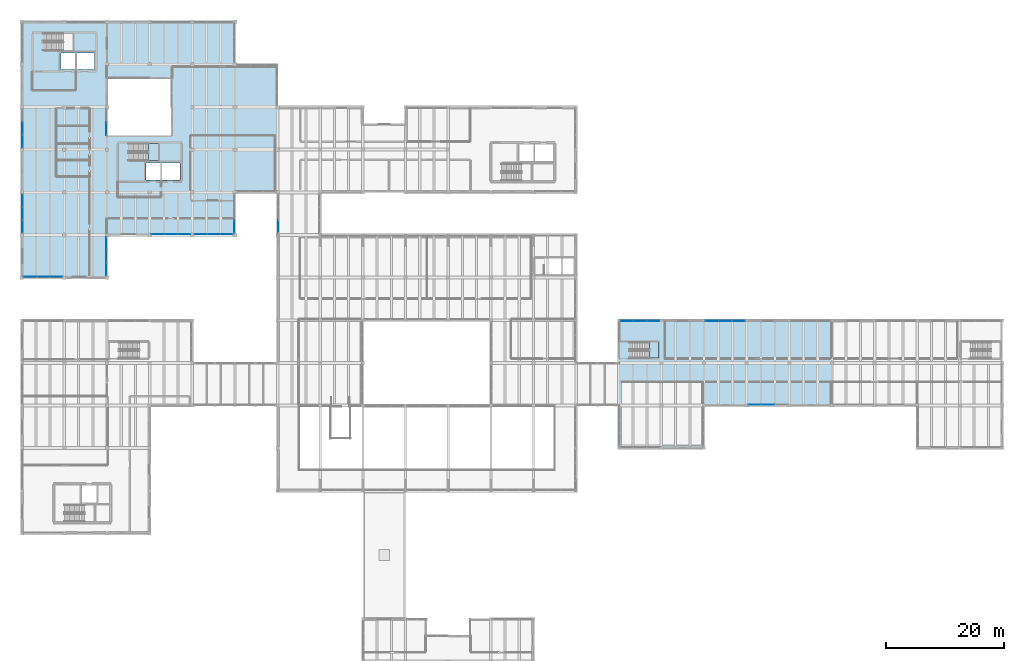
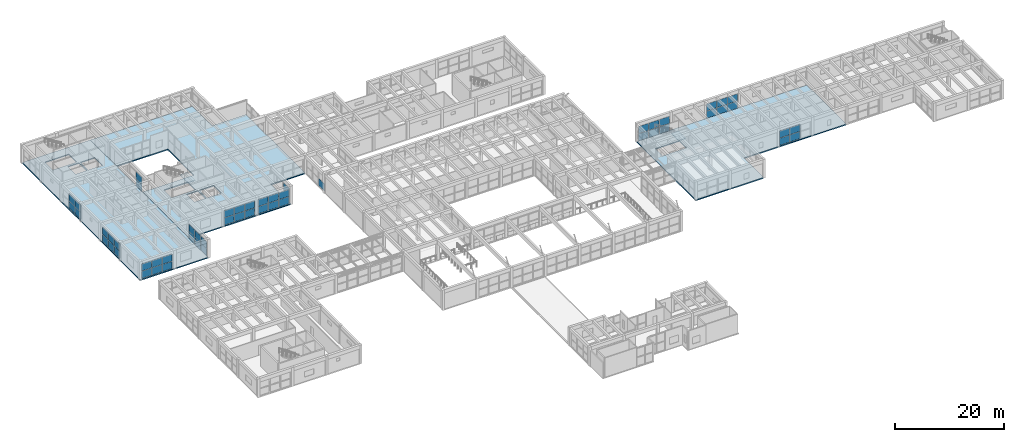
# One storey, part 121 of 153: 55 plates, 5 slabs, 14 elements without a shape of their own.
"""IFC4 building model written with IfcOpenShell, lengths in metres."""

from ifc_helpers import new_model, si_unit, direction, frame, origin, origin_2d, place, context, subcontext, project, spatial, polyline, rectangle, outline, extrude, material, layer, layer_set, type_object, element, aggregate, save


model = new_model("IFC4")

# Units and contexts
model_context = context("Model", 3, precision=1e-05, world=origin(), true_north=direction((0.0, 1.0)))
body_context = subcontext(model_context, "Body", "Model", "MODEL_VIEW")
ifc_project = project(units=[si_unit("LENGTHUNIT", "METRE"), si_unit("AREAUNIT", "SQUARE_METRE"), si_unit("VOLUMEUNIT", "CUBIC_METRE"), si_unit("PLANEANGLEUNIT", "RADIAN"), si_unit("MASSUNIT", "GRAM", prefix="KILO")], contexts=[model_context])

# Site, building, storey
site_placement = place(None, origin())
site = spatial("IfcSite", under=ifc_project, at=site_placement, CompositionType="ELEMENT")
building_placement = place(site_placement, origin())
building = spatial("IfcBuilding", under=site, at=building_placement, Name="Bramvelor Terrace Health Centre", CompositionType="ELEMENT")
storey_placement = place(building_placement, frame((0.0, 0.0, 4.800048828125)))
storey = spatial("IfcBuildingStorey", under=building, at=storey_placement, Name="L02", CompositionType="ELEMENT", Elevation=4.800048828125)

# Curtain wall, plate
ifc_material_1 = material(Name="Anodized aluminium and double low-E glass", Category="aluminium")
curtain_wall_type_1 = type_object("IfcCurtainWallType", Name="CW-SYS-12", PredefinedType="NOTDEFINED", material=ifc_material_1)
curtain_wall_1_placement = place(storey_placement, origin())
curtain_wall_1 = element("IfcCurtainWall", 1, at=curtain_wall_1_placement, inside=storey, type_object=curtain_wall_type_1, Name="L02 Unitized Curtain Wall 70", PredefinedType="NOTDEFINED")
ifc_material_2 = material(Name="Double low-E laminated glass", Category="glass")
ifc_layer_1 = layer(ifc_material_2, 0.028076171875)
ifc_layer_set_1 = layer_set([ifc_layer_1], Name="Double low-E laminated glass")
plate_type = type_object("IfcPlateType", Name="CW-PNL-GLZ28", PredefinedType="CURTAIN_PANEL", material=ifc_layer_set_1)
plate_1_placement = place(storey_placement, frame((43.330078125, 80.615478515625, 0.06494140625), z_axis=(0.0, 0.0, 1.0), x_axis=(0.0, 1.0, 0.0)))
plate_1 = element("IfcPlate", 2, at=plate_1_placement, type_object=plate_type, Name="CW-12 panel 1.1", PredefinedType="CURTAIN_PANEL", context=body_context, shape_type="SweptSolid", body=[
    extrude(rectangle(XDim=2.0908203125, YDim=0.028076171875, at=origin_2d()), origin(), (0.0, 0.0, 1.0), 1.58251953125),
])
aggregate(curtain_wall_1, [plate_1])

# Curtain wall, plates
curtain_wall_2_placement = place(storey_placement, origin())
curtain_wall_2 = element("IfcCurtainWall", 3, at=curtain_wall_2_placement, inside=storey, type_object=curtain_wall_type_1, Name="L02 Unitized Curtain Wall 72", PredefinedType="NOTDEFINED")
plate_2_placement = place(storey_placement, frame((35.8701171875, 80.615478515625, 0.06494140625), z_axis=(0.0, 0.0, 1.0), x_axis=(0.0, -1.0, 0.0)))
plate_2 = element("IfcPlate", 4, at=plate_2_placement, type_object=plate_type, Name="CW-12 panel 3.1", PredefinedType="CURTAIN_PANEL", context=body_context, shape_type="SweptSolid", body=[
    extrude(rectangle(XDim=2.0908203125, YDim=0.028076171875, at=origin_2d()), origin(), (0.0, 0.0, 1.0), 1.58251953125),
])
plate_3_placement = place(storey_placement, frame((35.8701171875, 80.615478515625, 1.71240234375), z_axis=(0.0, 0.0, 1.0), x_axis=(0.0, -1.0, 0.0)))
plate_3 = element("IfcPlate", 5, at=plate_3_placement, type_object=plate_type, Name="CW-12 panel 3.2", PredefinedType="CURTAIN_PANEL", context=body_context, shape_type="SweptSolid", body=[
    extrude(rectangle(XDim=2.0908203125, YDim=0.028076171875, at=origin_2d()), origin(), (0.0, 0.0, 1.0), 1.58251953125),
])
aggregate(curtain_wall_2, [plate_2, plate_3])

curtain_wall_3_placement = place(storey_placement, origin())
curtain_wall_3 = element("IfcCurtainWall", 6, at=curtain_wall_3_placement, inside=storey, type_object=curtain_wall_type_1, Name="L02 Unitized Curtain Wall 73", PredefinedType="NOTDEFINED")
plate_4_placement = place(storey_placement, frame((34.58447265625, 79.330078125, 0.06494140625), z_axis=(0.0, 0.0, 1.0), x_axis=(-1.0, 0.0, 0.0)))
plate_4 = element("IfcPlate", 7, at=plate_4_placement, type_object=plate_type, Name="CW-12 panel 1.1", PredefinedType="CURTAIN_PANEL", context=body_context, shape_type="SweptSolid", body=[
    extrude(rectangle(XDim=2.0908203125, YDim=0.028076171875, at=origin_2d()), origin(), (0.0, 0.0, 1.0), 1.58251953125),
])
plate_5_placement = place(storey_placement, frame((34.58447265625, 79.330078125, 1.71240234375), z_axis=(0.0, 0.0, 1.0), x_axis=(-1.0, 0.0, 0.0)))
plate_5 = element("IfcPlate", 8, at=plate_5_placement, type_object=plate_type, Name="CW-12 panel 1.2", PredefinedType="CURTAIN_PANEL", context=body_context, shape_type="SweptSolid", body=[
    extrude(rectangle(XDim=2.0908203125, YDim=0.028076171875, at=origin_2d()), origin(), (0.0, 0.0, 1.0), 1.58251953125),
])
plate_6_placement = place(storey_placement, frame((32.39990234375, 79.330078125, 0.06494140625), z_axis=(0.0, 0.0, 1.0), x_axis=(-1.0, 0.0, 0.0)))
plate_6 = element("IfcPlate", 9, at=plate_6_placement, type_object=plate_type, Name="CW-12 panel 2.1", PredefinedType="CURTAIN_PANEL", context=body_context, shape_type="SweptSolid", body=[
    extrude(rectangle(XDim=2.12841796875, YDim=0.028076171875, at=origin_2d()), origin(), (0.0, 0.0, 1.0), 1.58251953125),
])
plate_7_placement = place(storey_placement, frame((32.39990234375, 79.330078125, 1.71240234375), z_axis=(0.0, 0.0, 1.0), x_axis=(-1.0, 0.0, 0.0)))
plate_7 = element("IfcPlate", 10, at=plate_7_placement, type_object=plate_type, Name="CW-12 panel 2.2", PredefinedType="CURTAIN_PANEL", context=body_context, shape_type="SweptSolid", body=[
    extrude(rectangle(XDim=2.12841796875, YDim=0.028076171875, at=origin_2d()), origin(), (0.0, 0.0, 1.0), 1.58251953125),
])
plate_8_placement = place(storey_placement, frame((30.21533203125, 79.330078125, 0.06494140625), z_axis=(0.0, 0.0, 1.0), x_axis=(-1.0, 0.0, 0.0)))
plate_8 = element("IfcPlate", 11, at=plate_8_placement, type_object=plate_type, Name="CW-12 panel 3.1", PredefinedType="CURTAIN_PANEL", context=body_context, shape_type="SweptSolid", body=[
    extrude(rectangle(XDim=2.0908203125, YDim=0.028076171875, at=origin_2d()), origin(), (0.0, 0.0, 1.0), 1.58251953125),
])
plate_9_placement = place(storey_placement, frame((30.21533203125, 79.330078125, 1.71240234375), z_axis=(0.0, 0.0, 1.0), x_axis=(-1.0, 0.0, 0.0)))
plate_9 = element("IfcPlate", 12, at=plate_9_placement, type_object=plate_type, Name="CW-12 panel 3.2", PredefinedType="CURTAIN_PANEL", context=body_context, shape_type="SweptSolid", body=[
    extrude(rectangle(XDim=2.0908203125, YDim=0.028076171875, at=origin_2d()), origin(), (0.0, 0.0, 1.0), 1.58251953125),
])
aggregate(curtain_wall_3, [plate_4, plate_5, plate_6, plate_7, plate_8, plate_9])

curtain_wall_4_placement = place(storey_placement, origin())
curtain_wall_4 = element("IfcCurtainWall", 13, at=curtain_wall_4_placement, inside=storey, type_object=curtain_wall_type_1, Name="L02 Unitized Curtain Wall 74", PredefinedType="NOTDEFINED")
plate_10_placement = place(storey_placement, frame((27.384521484375, 79.330078125, 0.06494140625), z_axis=(0.0, 0.0, 1.0), x_axis=(-1.0, 0.0, 0.0)))
plate_10 = element("IfcPlate", 14, at=plate_10_placement, type_object=plate_type, Name="CW-12 panel 1.1", PredefinedType="CURTAIN_PANEL", context=body_context, shape_type="SweptSolid", body=[
    extrude(rectangle(XDim=2.0908203125, YDim=0.028076171875, at=origin_2d()), origin(), (0.0, 0.0, 1.0), 1.58251953125),
])
plate_11_placement = place(storey_placement, frame((27.384521484375, 79.330078125, 1.71240234375), z_axis=(0.0, 0.0, 1.0), x_axis=(-1.0, 0.0, 0.0)))
plate_11 = element("IfcPlate", 15, at=plate_11_placement, type_object=plate_type, Name="CW-12 panel 1.2", PredefinedType="CURTAIN_PANEL", context=body_context, shape_type="SweptSolid", body=[
    extrude(rectangle(XDim=2.0908203125, YDim=0.028076171875, at=origin_2d()), origin(), (0.0, 0.0, 1.0), 1.58251953125),
])
plate_12_placement = place(storey_placement, frame((25.199951171875, 79.330078125, 0.06494140625), z_axis=(0.0, 0.0, 1.0), x_axis=(-1.0, 0.0, 0.0)))
plate_12 = element("IfcPlate", 16, at=plate_12_placement, type_object=plate_type, Name="CW-12 panel 2.1", PredefinedType="CURTAIN_PANEL", context=body_context, shape_type="SweptSolid", body=[
    extrude(rectangle(XDim=2.12841796875, YDim=0.028076171875, at=origin_2d()), origin(), (0.0, 0.0, 1.0), 1.58251953125),
])
plate_13_placement = place(storey_placement, frame((25.199951171875, 79.330078125, 1.71240234375), z_axis=(0.0, 0.0, 1.0), x_axis=(-1.0, 0.0, 0.0)))
plate_13 = element("IfcPlate", 17, at=plate_13_placement, type_object=plate_type, Name="CW-12 panel 2.2", PredefinedType="CURTAIN_PANEL", context=body_context, shape_type="SweptSolid", body=[
    extrude(rectangle(XDim=2.12841796875, YDim=0.028076171875, at=origin_2d()), origin(), (0.0, 0.0, 1.0), 1.58251953125),
])
plate_14_placement = place(storey_placement, frame((23.015380859375, 79.330078125, 0.06494140625), z_axis=(0.0, 0.0, 1.0), x_axis=(-1.0, 0.0, 0.0)))
plate_14 = element("IfcPlate", 18, at=plate_14_placement, type_object=plate_type, Name="CW-12 panel 3.1", PredefinedType="CURTAIN_PANEL", context=body_context, shape_type="SweptSolid", body=[
    extrude(rectangle(XDim=2.0908203125, YDim=0.028076171875, at=origin_2d()), origin(), (0.0, 0.0, 1.0), 1.58251953125),
])
plate_15_placement = place(storey_placement, frame((23.015380859375, 79.330078125, 1.71240234375), z_axis=(0.0, 0.0, 1.0), x_axis=(-1.0, 0.0, 0.0)))
plate_15 = element("IfcPlate", 19, at=plate_15_placement, type_object=plate_type, Name="CW-12 panel 3.2", PredefinedType="CURTAIN_PANEL", context=body_context, shape_type="SweptSolid", body=[
    extrude(rectangle(XDim=2.0908203125, YDim=0.028076171875, at=origin_2d()), origin(), (0.0, 0.0, 1.0), 1.58251953125),
])
aggregate(curtain_wall_4, [plate_10, plate_11, plate_12, plate_13, plate_14, plate_15])

curtain_wall_5_placement = place(storey_placement, origin())
curtain_wall_5 = element("IfcCurtainWall", 20, at=curtain_wall_5_placement, inside=storey, type_object=curtain_wall_type_1, Name="L02 Unitized Curtain Wall 75", PredefinedType="NOTDEFINED")
plate_16_placement = place(storey_placement, frame((14.27001953125, 77.78466796875, 0.06494140625), z_axis=(0.0, 0.0, 1.0), x_axis=(0.0, -1.0, 0.0)))
plate_16 = element("IfcPlate", 21, at=plate_16_placement, type_object=plate_type, Name="CW-12 panel 1.1", PredefinedType="CURTAIN_PANEL", context=body_context, shape_type="SweptSolid", body=[
    extrude(rectangle(XDim=2.0908203125, YDim=0.028076171875, at=origin_2d()), origin(), (0.0, 0.0, 1.0), 1.58251953125),
])
plate_17_placement = place(storey_placement, frame((14.27001953125, 77.78466796875, 1.71240234375), z_axis=(0.0, 0.0, 1.0), x_axis=(0.0, -1.0, 0.0)))
plate_17 = element("IfcPlate", 22, at=plate_17_placement, type_object=plate_type, Name="CW-12 panel 1.2", PredefinedType="CURTAIN_PANEL", context=body_context, shape_type="SweptSolid", body=[
    extrude(rectangle(XDim=2.0908203125, YDim=0.028076171875, at=origin_2d()), origin(), (0.0, 0.0, 1.0), 1.58251953125),
])
plate_18_placement = place(storey_placement, frame((14.27001953125, 75.60009765625, 0.06494140625), z_axis=(0.0, 0.0, 1.0), x_axis=(0.0, -1.0, 0.0)))
plate_18 = element("IfcPlate", 23, at=plate_18_placement, type_object=plate_type, Name="CW-12 panel 2.1", PredefinedType="CURTAIN_PANEL", context=body_context, shape_type="SweptSolid", body=[
    extrude(rectangle(XDim=2.12841796875, YDim=0.028076171875, at=origin_2d()), origin(), (0.0, 0.0, 1.0), 1.58251953125),
])
plate_19_placement = place(storey_placement, frame((14.27001953125, 75.60009765625, 1.71240234375), z_axis=(0.0, 0.0, 1.0), x_axis=(0.0, -1.0, 0.0)))
plate_19 = element("IfcPlate", 24, at=plate_19_placement, type_object=plate_type, Name="CW-12 panel 2.2", PredefinedType="CURTAIN_PANEL", context=body_context, shape_type="SweptSolid", body=[
    extrude(rectangle(XDim=2.12841796875, YDim=0.028076171875, at=origin_2d()), origin(), (0.0, 0.0, 1.0), 1.58251953125),
])
plate_20_placement = place(storey_placement, frame((14.27001953125, 73.41552734375, 0.06494140625), z_axis=(0.0, 0.0, 1.0), x_axis=(0.0, -1.0, 0.0)))
plate_20 = element("IfcPlate", 25, at=plate_20_placement, type_object=plate_type, Name="CW-12 panel 3.1", PredefinedType="CURTAIN_PANEL", context=body_context, shape_type="SweptSolid", body=[
    extrude(rectangle(XDim=2.0908203125, YDim=0.028076171875, at=origin_2d()), origin(), (0.0, 0.0, 1.0), 1.58251953125),
])
plate_21_placement = place(storey_placement, frame((14.27001953125, 73.41552734375, 1.71240234375), z_axis=(0.0, 0.0, 1.0), x_axis=(0.0, -1.0, 0.0)))
plate_21 = element("IfcPlate", 26, at=plate_21_placement, type_object=plate_type, Name="CW-12 panel 3.2", PredefinedType="CURTAIN_PANEL", context=body_context, shape_type="SweptSolid", body=[
    extrude(rectangle(XDim=2.0908203125, YDim=0.028076171875, at=origin_2d()), origin(), (0.0, 0.0, 1.0), 1.58251953125),
])
aggregate(curtain_wall_5, [plate_16, plate_17, plate_18, plate_19, plate_20, plate_21])

curtain_wall_6_placement = place(storey_placement, origin())
curtain_wall_6 = element("IfcCurtainWall", 27, at=curtain_wall_6_placement, inside=storey, type_object=curtain_wall_type_1, Name="L02 Unitized Curtain Wall 76", PredefinedType="NOTDEFINED")
plate_22_placement = place(storey_placement, frame((5.78466796875, 72.1298828125, 0.06494140625), z_axis=(0.0, 0.0, 1.0), x_axis=(-1.0, 0.0, 0.0)))
plate_22 = element("IfcPlate", 28, at=plate_22_placement, type_object=plate_type, Name="CW-12 panel 1.1", PredefinedType="CURTAIN_PANEL", context=body_context, shape_type="SweptSolid", body=[
    extrude(rectangle(XDim=2.0908203125, YDim=0.028076171875, at=origin_2d()), origin(), (0.0, 0.0, 1.0), 1.592529296875),
])
plate_23_placement = place(storey_placement, frame((5.78466796875, 72.1298828125, 1.72265625), z_axis=(0.0, 0.0, 1.0), x_axis=(-1.0, 0.0, 0.0)))
plate_23 = element("IfcPlate", 29, at=plate_23_placement, type_object=plate_type, Name="CW-12 panel 1.2", PredefinedType="CURTAIN_PANEL", context=body_context, shape_type="SweptSolid", body=[
    extrude(rectangle(XDim=2.0908203125, YDim=0.028076171875, at=origin_2d()), origin(), (0.0, 0.0, 1.0), 1.592529296875),
])
plate_24_placement = place(storey_placement, frame((3.60009765625, 72.1298828125, 0.06494140625), z_axis=(0.0, 0.0, 1.0), x_axis=(-1.0, 0.0, 0.0)))
plate_24 = element("IfcPlate", 30, at=plate_24_placement, type_object=plate_type, Name="CW-12 panel 2.1", PredefinedType="CURTAIN_PANEL", context=body_context, shape_type="SweptSolid", body=[
    extrude(rectangle(XDim=2.12841796875, YDim=0.028076171875, at=origin_2d()), origin(), (0.0, 0.0, 1.0), 1.592529296875),
])
plate_25_placement = place(storey_placement, frame((3.60009765625, 72.1298828125, 1.72265625), z_axis=(0.0, 0.0, 1.0), x_axis=(-1.0, 0.0, 0.0)))
plate_25 = element("IfcPlate", 31, at=plate_25_placement, type_object=plate_type, Name="CW-12 panel 2.2", PredefinedType="CURTAIN_PANEL", context=body_context, shape_type="SweptSolid", body=[
    extrude(rectangle(XDim=2.12841796875, YDim=0.028076171875, at=origin_2d()), origin(), (0.0, 0.0, 1.0), 1.592529296875),
])
plate_26_placement = place(storey_placement, frame((1.41552734375, 72.1298828125, 0.06494140625), z_axis=(0.0, 0.0, 1.0), x_axis=(-1.0, 0.0, 0.0)))
plate_26 = element("IfcPlate", 32, at=plate_26_placement, type_object=plate_type, Name="CW-12 panel 3.1", PredefinedType="CURTAIN_PANEL", context=body_context, shape_type="SweptSolid", body=[
    extrude(rectangle(XDim=2.0908203125, YDim=0.028076171875, at=origin_2d()), origin(), (0.0, 0.0, 1.0), 1.592529296875),
])
plate_27_placement = place(storey_placement, frame((1.41552734375, 72.1298828125, 1.72265625), z_axis=(0.0, 0.0, 1.0), x_axis=(-1.0, 0.0, 0.0)))
plate_27 = element("IfcPlate", 33, at=plate_27_placement, type_object=plate_type, Name="CW-12 panel 3.2", PredefinedType="CURTAIN_PANEL", context=body_context, shape_type="SweptSolid", body=[
    extrude(rectangle(XDim=2.0908203125, YDim=0.028076171875, at=origin_2d()), origin(), (0.0, 0.0, 1.0), 1.592529296875),
])
aggregate(curtain_wall_6, [plate_22, plate_23, plate_24, plate_25, plate_26, plate_27])

curtain_wall_7_placement = place(storey_placement, origin())
curtain_wall_7 = element("IfcCurtainWall", 34, at=curtain_wall_7_placement, inside=storey, type_object=curtain_wall_type_1, Name="L02 Unitized Curtain Wall 77", PredefinedType="NOTDEFINED")
plate_28_placement = place(storey_placement, frame((0.1298828125, 80.615478515625, 0.06494140625), z_axis=(0.0, 0.0, 1.0), x_axis=(0.0, 1.0, 0.0)))
plate_28 = element("IfcPlate", 35, at=plate_28_placement, type_object=plate_type, Name="CW-12 panel 1.1", PredefinedType="CURTAIN_PANEL", context=body_context, shape_type="SweptSolid", body=[
    extrude(rectangle(XDim=2.0908203125, YDim=0.028076171875, at=origin_2d()), origin(), (0.0, 0.0, 1.0), 1.58251953125),
])
plate_29_placement = place(storey_placement, frame((0.1298828125, 80.615478515625, 1.71240234375), z_axis=(0.0, 0.0, 1.0), x_axis=(0.0, 1.0, 0.0)))
plate_29 = element("IfcPlate", 36, at=plate_29_placement, type_object=plate_type, Name="CW-12 panel 1.2", PredefinedType="CURTAIN_PANEL", context=body_context, shape_type="SweptSolid", body=[
    extrude(rectangle(XDim=2.0908203125, YDim=0.028076171875, at=origin_2d()), origin(), (0.0, 0.0, 1.0), 1.58251953125),
])
plate_30_placement = place(storey_placement, frame((0.1298828125, 82.800048828125, 0.06494140625), z_axis=(0.0, 0.0, 1.0), x_axis=(0.0, 1.0, 0.0)))
plate_30 = element("IfcPlate", 37, at=plate_30_placement, type_object=plate_type, Name="CW-12 panel 2.1", PredefinedType="CURTAIN_PANEL", context=body_context, shape_type="SweptSolid", body=[
    extrude(rectangle(XDim=2.12841796875, YDim=0.028076171875, at=origin_2d()), origin(), (0.0, 0.0, 1.0), 1.58251953125),
])
plate_31_placement = place(storey_placement, frame((0.1298828125, 82.800048828125, 1.71240234375), z_axis=(0.0, 0.0, 1.0), x_axis=(0.0, 1.0, 0.0)))
plate_31 = element("IfcPlate", 38, at=plate_31_placement, type_object=plate_type, Name="CW-12 panel 2.2", PredefinedType="CURTAIN_PANEL", context=body_context, shape_type="SweptSolid", body=[
    extrude(rectangle(XDim=2.12841796875, YDim=0.028076171875, at=origin_2d()), origin(), (0.0, 0.0, 1.0), 1.58251953125),
])
plate_32_placement = place(storey_placement, frame((0.1298828125, 84.984619140625, 0.06494140625), z_axis=(0.0, 0.0, 1.0), x_axis=(0.0, 1.0, 0.0)))
plate_32 = element("IfcPlate", 39, at=plate_32_placement, type_object=plate_type, Name="CW-12 panel 3.1", PredefinedType="CURTAIN_PANEL", context=body_context, shape_type="SweptSolid", body=[
    extrude(rectangle(XDim=2.0908203125, YDim=0.028076171875, at=origin_2d()), origin(), (0.0, 0.0, 1.0), 1.58251953125),
])
plate_33_placement = place(storey_placement, frame((0.1298828125, 84.984619140625, 1.71240234375), z_axis=(0.0, 0.0, 1.0), x_axis=(0.0, 1.0, 0.0)))
plate_33 = element("IfcPlate", 40, at=plate_33_placement, type_object=plate_type, Name="CW-12 panel 3.2", PredefinedType="CURTAIN_PANEL", context=body_context, shape_type="SweptSolid", body=[
    extrude(rectangle(XDim=2.0908203125, YDim=0.028076171875, at=origin_2d()), origin(), (0.0, 0.0, 1.0), 1.58251953125),
])
aggregate(curtain_wall_7, [plate_28, plate_29, plate_30, plate_31, plate_32, plate_33])

curtain_wall_8_placement = place(storey_placement, origin())
curtain_wall_8 = element("IfcCurtainWall", 41, at=curtain_wall_8_placement, inside=storey, type_object=curtain_wall_type_1, Name="L02 Unitized Curtain Wall 78", PredefinedType="NOTDEFINED")
plate_34_placement = place(storey_placement, frame((0.1298828125, 95.015380859375, 0.06494140625), z_axis=(0.0, 0.0, 1.0), x_axis=(0.0, 1.0, 0.0)))
plate_34 = element("IfcPlate", 42, at=plate_34_placement, type_object=plate_type, Name="CW-12 panel 1.1", PredefinedType="CURTAIN_PANEL", context=body_context, shape_type="SweptSolid", body=[
    extrude(rectangle(XDim=2.0908203125, YDim=0.028076171875, at=origin_2d()), origin(), (0.0, 0.0, 1.0), 1.58251953125),
])
plate_35_placement = place(storey_placement, frame((0.1298828125, 95.015380859375, 1.71240234375), z_axis=(0.0, 0.0, 1.0), x_axis=(0.0, 1.0, 0.0)))
plate_35 = element("IfcPlate", 43, at=plate_35_placement, type_object=plate_type, Name="CW-12 panel 1.2", PredefinedType="CURTAIN_PANEL", context=body_context, shape_type="SweptSolid", body=[
    extrude(rectangle(XDim=2.0908203125, YDim=0.028076171875, at=origin_2d()), origin(), (0.0, 0.0, 1.0), 1.58251953125),
])
plate_36_placement = place(storey_placement, frame((0.1298828125, 97.199951171875, 0.06494140625), z_axis=(0.0, 0.0, 1.0), x_axis=(0.0, 1.0, 0.0)))
plate_36 = element("IfcPlate", 44, at=plate_36_placement, type_object=plate_type, Name="CW-12 panel 2.1", PredefinedType="CURTAIN_PANEL", context=body_context, shape_type="SweptSolid", body=[
    extrude(rectangle(XDim=2.12841796875, YDim=0.028076171875, at=origin_2d()), origin(), (0.0, 0.0, 1.0), 1.58251953125),
])
plate_37_placement = place(storey_placement, frame((0.1298828125, 97.199951171875, 1.71240234375), z_axis=(0.0, 0.0, 1.0), x_axis=(0.0, 1.0, 0.0)))
plate_37 = element("IfcPlate", 45, at=plate_37_placement, type_object=plate_type, Name="CW-12 panel 2.2", PredefinedType="CURTAIN_PANEL", context=body_context, shape_type="SweptSolid", body=[
    extrude(rectangle(XDim=2.12841796875, YDim=0.028076171875, at=origin_2d()), origin(), (0.0, 0.0, 1.0), 1.58251953125),
])
aggregate(curtain_wall_8, [plate_34, plate_35, plate_36, plate_37])

ifc_material_3 = material(Name="Anodized aluminium and double low-E glass", Category="aluminium")
curtain_wall_type_2 = type_object("IfcCurtainWallType", Name="CW-SYS-16", PredefinedType="NOTDEFINED", material=ifc_material_3)
curtain_wall_9_placement = place(storey_placement, origin())
curtain_wall_9 = element("IfcCurtainWall", 46, at=curtain_wall_9_placement, inside=storey, type_object=curtain_wall_type_2, Name="L02 Unitized Curtain Wall 101", PredefinedType="NOTDEFINED")
plate_38_placement = place(storey_placement, frame((102.18212890625, 64.669921875, 0.06494140625), z_axis=(0.0, 0.0, 1.0), x_axis=(1.0, 0.0, 0.0)))
plate_38 = element("IfcPlate", 47, at=plate_38_placement, type_object=plate_type, Name="CW-16 panel 1.1", PredefinedType="CURTAIN_PANEL", context=body_context, shape_type="SweptSolid", body=[
    extrude(rectangle(XDim=2.124267578125, YDim=0.028076171875, at=origin_2d()), origin(), (0.0, 0.0, 1.0), 1.58251953125),
])
plate_39_placement = place(storey_placement, frame((102.18212890625, 64.669921875, 1.71240234375), z_axis=(0.0, 0.0, 1.0), x_axis=(1.0, 0.0, 0.0)))
plate_39 = element("IfcPlate", 48, at=plate_39_placement, type_object=plate_type, Name="CW-16 panel 1.2", PredefinedType="CURTAIN_PANEL", context=body_context, shape_type="SweptSolid", body=[
    extrude(rectangle(XDim=2.124267578125, YDim=0.028076171875, at=origin_2d()), origin(), (0.0, 0.0, 1.0), 1.58251953125),
])
plate_40_placement = place(storey_placement, frame((104.39990234375, 64.669921875, 0.06494140625), z_axis=(0.0, 0.0, 1.0), x_axis=(1.0, 0.0, 0.0)))
plate_40 = element("IfcPlate", 49, at=plate_40_placement, type_object=plate_type, Name="CW-16 panel 2.1", PredefinedType="CURTAIN_PANEL", context=body_context, shape_type="SweptSolid", body=[
    extrude(rectangle(XDim=2.16162109375, YDim=0.028076171875, at=origin_2d()), origin(), (0.0, 0.0, 1.0), 1.58251953125),
])
plate_41_placement = place(storey_placement, frame((104.39990234375, 64.669921875, 1.71240234375), z_axis=(0.0, 0.0, 1.0), x_axis=(1.0, 0.0, 0.0)))
plate_41 = element("IfcPlate", 50, at=plate_41_placement, type_object=plate_type, Name="CW-16 panel 2.2", PredefinedType="CURTAIN_PANEL", context=body_context, shape_type="SweptSolid", body=[
    extrude(rectangle(XDim=2.16162109375, YDim=0.028076171875, at=origin_2d()), origin(), (0.0, 0.0, 1.0), 1.58251953125),
])
plate_42_placement = place(storey_placement, frame((106.617919921875, 64.669921875, 0.06494140625), z_axis=(0.0, 0.0, 1.0), x_axis=(1.0, 0.0, 0.0)))
plate_42 = element("IfcPlate", 51, at=plate_42_placement, type_object=plate_type, Name="CW-16 panel 3.1", PredefinedType="CURTAIN_PANEL", context=body_context, shape_type="SweptSolid", body=[
    extrude(rectangle(XDim=2.124267578125, YDim=0.028076171875, at=origin_2d()), origin(), (0.0, 0.0, 1.0), 1.58251953125),
])
plate_43_placement = place(storey_placement, frame((106.617919921875, 64.669921875, 1.71240234375), z_axis=(0.0, 0.0, 1.0), x_axis=(1.0, 0.0, 0.0)))
plate_43 = element("IfcPlate", 52, at=plate_43_placement, type_object=plate_type, Name="CW-16 panel 3.2", PredefinedType="CURTAIN_PANEL", context=body_context, shape_type="SweptSolid", body=[
    extrude(rectangle(XDim=2.124267578125, YDim=0.028076171875, at=origin_2d()), origin(), (0.0, 0.0, 1.0), 1.58251953125),
])
aggregate(curtain_wall_9, [plate_38, plate_39, plate_40, plate_41, plate_42, plate_43])

curtain_wall_10_placement = place(storey_placement, origin())
curtain_wall_10 = element("IfcCurtainWall", 53, at=curtain_wall_10_placement, inside=storey, type_object=curtain_wall_type_2, Name="L02 Unitized Curtain Wall 102", PredefinedType="NOTDEFINED")
plate_44_placement = place(storey_placement, frame((116.58203125, 64.669921875, 0.06494140625), z_axis=(0.0, 0.0, 1.0), x_axis=(1.0, 0.0, 0.0)))
plate_44 = element("IfcPlate", 54, at=plate_44_placement, type_object=plate_type, Name="CW-16 panel 1.1", PredefinedType="CURTAIN_PANEL", context=body_context, shape_type="SweptSolid", body=[
    extrude(rectangle(XDim=2.124267578125, YDim=0.028076171875, at=origin_2d()), origin(), (0.0, 0.0, 1.0), 1.58251953125),
])
plate_45_placement = place(storey_placement, frame((116.58203125, 64.669921875, 1.71240234375), z_axis=(0.0, 0.0, 1.0), x_axis=(1.0, 0.0, 0.0)))
plate_45 = element("IfcPlate", 55, at=plate_45_placement, type_object=plate_type, Name="CW-16 panel 1.2", PredefinedType="CURTAIN_PANEL", context=body_context, shape_type="SweptSolid", body=[
    extrude(rectangle(XDim=2.124267578125, YDim=0.028076171875, at=origin_2d()), origin(), (0.0, 0.0, 1.0), 1.58251953125),
])
plate_46_placement = place(storey_placement, frame((118.800048828125, 64.669921875, 0.06494140625), z_axis=(0.0, 0.0, 1.0), x_axis=(1.0, 0.0, 0.0)))
plate_46 = element("IfcPlate", 56, at=plate_46_placement, type_object=plate_type, Name="CW-16 panel 2.1", PredefinedType="CURTAIN_PANEL", context=body_context, shape_type="SweptSolid", body=[
    extrude(rectangle(XDim=2.16162109375, YDim=0.028076171875, at=origin_2d()), origin(), (0.0, 0.0, 1.0), 1.58251953125),
])
plate_47_placement = place(storey_placement, frame((118.800048828125, 64.669921875, 1.71240234375), z_axis=(0.0, 0.0, 1.0), x_axis=(1.0, 0.0, 0.0)))
plate_47 = element("IfcPlate", 57, at=plate_47_placement, type_object=plate_type, Name="CW-16 panel 2.2", PredefinedType="CURTAIN_PANEL", context=body_context, shape_type="SweptSolid", body=[
    extrude(rectangle(XDim=2.16162109375, YDim=0.028076171875, at=origin_2d()), origin(), (0.0, 0.0, 1.0), 1.58251953125),
])
plate_48_placement = place(storey_placement, frame((121.017822265625, 64.669921875, 0.06494140625), z_axis=(0.0, 0.0, 1.0), x_axis=(1.0, 0.0, 0.0)))
plate_48 = element("IfcPlate", 58, at=plate_48_placement, type_object=plate_type, Name="CW-16 panel 3.1", PredefinedType="CURTAIN_PANEL", context=body_context, shape_type="SweptSolid", body=[
    extrude(rectangle(XDim=2.124267578125, YDim=0.028076171875, at=origin_2d()), origin(), (0.0, 0.0, 1.0), 1.58251953125),
])
plate_49_placement = place(storey_placement, frame((121.017822265625, 64.669921875, 1.71240234375), z_axis=(0.0, 0.0, 1.0), x_axis=(1.0, 0.0, 0.0)))
plate_49 = element("IfcPlate", 59, at=plate_49_placement, type_object=plate_type, Name="CW-16 panel 3.2", PredefinedType="CURTAIN_PANEL", context=body_context, shape_type="SweptSolid", body=[
    extrude(rectangle(XDim=2.124267578125, YDim=0.028076171875, at=origin_2d()), origin(), (0.0, 0.0, 1.0), 1.58251953125),
])
aggregate(curtain_wall_10, [plate_44, plate_45, plate_46, plate_47, plate_48, plate_49])

curtain_wall_11_placement = place(storey_placement, origin())
curtain_wall_11 = element("IfcCurtainWall", 60, at=curtain_wall_11_placement, inside=storey, type_object=curtain_wall_type_2, Name="L02 Unitized Curtain Wall 110", PredefinedType="NOTDEFINED")
plate_50_placement = place(storey_placement, frame((126.0, 50.530029296875, 0.06494140625), z_axis=(0.0, 0.0, 1.0), x_axis=(-1.0, 0.0, 0.0)))
plate_50 = element("IfcPlate", 61, at=plate_50_placement, type_object=plate_type, Name="CW-16 panel 2.1", PredefinedType="CURTAIN_PANEL", context=body_context, shape_type="SweptSolid", body=[
    extrude(rectangle(XDim=2.16162109375, YDim=0.028076171875, at=origin_2d()), origin(), (0.0, 0.0, 1.0), 1.58251953125),
])
plate_51_placement = place(storey_placement, frame((126.0, 50.530029296875, 1.71240234375), z_axis=(0.0, 0.0, 1.0), x_axis=(-1.0, 0.0, 0.0)))
plate_51 = element("IfcPlate", 62, at=plate_51_placement, type_object=plate_type, Name="CW-16 panel 2.2", PredefinedType="CURTAIN_PANEL", context=body_context, shape_type="SweptSolid", body=[
    extrude(rectangle(XDim=2.16162109375, YDim=0.028076171875, at=origin_2d()), origin(), (0.0, 0.0, 1.0), 1.58251953125),
])
plate_52_placement = place(storey_placement, frame((123.781982421875, 50.530029296875, 0.06494140625), z_axis=(0.0, 0.0, 1.0), x_axis=(-1.0, 0.0, 0.0)))
plate_52 = element("IfcPlate", 63, at=plate_52_placement, type_object=plate_type, Name="CW-16 panel 3.1", PredefinedType="CURTAIN_PANEL", context=body_context, shape_type="SweptSolid", body=[
    extrude(rectangle(XDim=2.124267578125, YDim=0.028076171875, at=origin_2d()), origin(), (0.0, 0.0, 1.0), 1.58251953125),
])
plate_53_placement = place(storey_placement, frame((123.781982421875, 50.530029296875, 1.71240234375), z_axis=(0.0, 0.0, 1.0), x_axis=(-1.0, 0.0, 0.0)))
plate_53 = element("IfcPlate", 64, at=plate_53_placement, type_object=plate_type, Name="CW-16 panel 3.2", PredefinedType="CURTAIN_PANEL", context=body_context, shape_type="SweptSolid", body=[
    extrude(rectangle(XDim=2.124267578125, YDim=0.028076171875, at=origin_2d()), origin(), (0.0, 0.0, 1.0), 1.58251953125),
])
aggregate(curtain_wall_11, [plate_50, plate_51, plate_52, plate_53])

ifc_material_4 = material(Name="Anodized aluminium and double low-E glass", Category="aluminium")
curtain_wall_type_3 = type_object("IfcCurtainWallType", Name="CW-SYS-21", PredefinedType="NOTDEFINED", material=ifc_material_4)
curtain_wall_12_placement = place(storey_placement, origin())
curtain_wall_12 = element("IfcCurtainWall", 65, at=curtain_wall_12_placement, inside=storey, type_object=curtain_wall_type_3, Name="L02 Unitized Curtain Wall 143", PredefinedType="NOTDEFINED")
plate_54_placement = place(storey_placement, frame((14.27001953125, 97.1298828125, 0.06494140625), z_axis=(0.0, 0.0, 1.0), x_axis=(0.0, -1.0, 0.0)))
plate_54 = element("IfcPlate", 66, at=plate_54_placement, type_object=plate_type, Name="CW-21 panel 2.1", PredefinedType="CURTAIN_PANEL", context=body_context, shape_type="SweptSolid", body=[
    extrude(rectangle(XDim=2.14990234375, YDim=0.028076171875, at=origin_2d()), origin(), (0.0, 0.0, 1.0), 1.58251953125),
])
plate_55_placement = place(storey_placement, frame((14.27001953125, 97.1298828125, 1.71240234375), z_axis=(0.0, 0.0, 1.0), x_axis=(0.0, -1.0, 0.0)))
plate_55 = element("IfcPlate", 67, at=plate_55_placement, type_object=plate_type, Name="CW-21 panel 2.2", PredefinedType="CURTAIN_PANEL", context=body_context, shape_type="SweptSolid", body=[
    extrude(rectangle(XDim=2.14990234375, YDim=0.028076171875, at=origin_2d()), origin(), (0.0, 0.0, 1.0), 1.58251953125),
])
aggregate(curtain_wall_12, [plate_54, plate_55])

# Slabs
ifc_material_5 = material(Name="Concrete C40/50", Category="concrete")
ifc_layer_2 = layer(ifc_material_5, 0.239990234375)
ifc_layer_set_2 = layer_set([ifc_layer_2], Name="Concrete C40/50")
slab_type_1 = type_object("IfcSlabType", Name="SLB-FLR-RC240", PredefinedType="FLOOR", material=ifc_layer_set_2)
slab_1_placement = place(storey_placement, frame((0.0, 0.0, -0.239990234375)))
element("IfcSlab", 68, at=slab_1_placement, inside=storey, type_object=slab_type_1, Name="L02 V2_W Floor Slab", PredefinedType="FLOOR", context=body_context, shape_type="SweptSolid", body=[
    extrude(outline(polyline([(136.800048828125, 64.800048828125), (136.800048828125, 50.39990234375), (115.199951171875, 50.39990234375), (115.199951171875, 43.199951171875), (100.800048828125, 43.199951171875), (100.800048828125, 50.39990234375), (100.800048828125, 64.800048828125), (136.800048828125, 64.800048828125)]), holes=[polyline([(107.699951171875, 61.10009765625), (102.6298828125, 61.10009765625), (102.6298828125, 58.39990234375), (107.699951171875, 58.39990234375), (107.699951171875, 61.10009765625)])]), origin(), (0.0, 0.0, 1.0), 0.239990234375),
])
slab_2_placement = place(storey_placement, frame((0.0, 0.0, -0.239990234375)))
element("IfcSlab", 69, at=slab_2_placement, inside=storey, type_object=slab_type_1, Name="L02 V4_E Floor Slab", PredefinedType="FLOOR", context=body_context, shape_type="SweptSolid", body=[
    extrude(outline(polyline([(36.0, 79.199951171875), (14.39990234375, 79.199951171875), (14.39990234375, 96.0), (25.199951171875, 96.0), (25.199951171875, 105.60009765625), (14.39990234375, 105.60009765625), (14.39990234375, 115.199951171875), (36.0, 115.199951171875), (36.0, 108.0), (43.199951171875, 108.0), (43.199951171875, 86.39990234375), (36.0, 86.39990234375), (36.0, 79.199951171875)]), holes=[polyline([(18.080078125, 91.75), (23.14990234375, 91.75), (23.14990234375, 94.64990234375), (18.080078125, 94.64990234375), (18.080078125, 91.75)]), polyline([(21.0, 91.35009765625), (21.0, 88.5), (23.39990234375, 88.5), (23.39990234375, 91.35009765625), (21.0, 91.35009765625)]), polyline([(26.699951171875, 91.35009765625), (23.699951171875, 91.35009765625), (23.699951171875, 88.5), (26.699951171875, 88.5), (26.699951171875, 91.35009765625)])]), origin(), (0.0, 0.0, 1.0), 0.239990234375),
])
slab_3_placement = place(storey_placement, frame((0.0, 0.0, -0.239990234375)))
element("IfcSlab", 70, at=slab_3_placement, inside=storey, type_object=slab_type_1, Name="L02 V4_W Floor Slab", PredefinedType="FLOOR", context=body_context, shape_type="SweptSolid", body=[
    extrude(outline(polyline([(0.0, 115.199951171875), (14.39990234375, 115.199951171875), (14.39990234375, 105.60009765625), (14.39990234375, 96.0), (14.39990234375, 79.199951171875), (14.39990234375, 72.0), (0.0, 72.0), (0.0, 79.199951171875), (0.0, 115.199951171875)]), holes=[polyline([(3.679931640625, 110.35009765625), (8.75, 110.35009765625), (8.75, 113.25), (3.679931640625, 113.25), (3.679931640625, 110.35009765625)]), polyline([(6.60009765625, 109.949951171875), (6.60009765625, 107.10009765625), (9.0, 107.10009765625), (9.0, 109.949951171875), (6.60009765625, 109.949951171875)]), polyline([(12.300048828125, 109.949951171875), (9.300048828125, 109.949951171875), (9.300048828125, 107.10009765625), (12.300048828125, 107.10009765625), (12.300048828125, 109.949951171875)])]), origin(), (0.0, 0.0, 1.0), 0.239990234375),
])

# Stair, slab
ifc_material_6 = material(Name="Concrete C40/50", Category="concrete")
stair_type_1 = type_object("IfcStairType", Name="STR-CORE", PredefinedType="HALF_TURN_STAIR", material=ifc_material_6)
stair_1_placement = place(storey_placement, origin())
stair_1 = element("IfcStair", 71, at=stair_1_placement, inside=storey, type_object=stair_type_1, Name="L02 C2 Primary Fire Stair", PredefinedType="HALF_TURN_STAIR")
ifc_material_7 = material(Name="Concrete C40/50", Category="concrete")
ifc_layer_3 = layer(ifc_material_7, 0.199951171875)
ifc_layer_set_3 = layer_set([ifc_layer_3], Name="Concrete C40/50")
slab_type_2 = type_object("IfcSlabType", Name="SLB-LND-200", PredefinedType="LANDING", material=ifc_layer_set_3)
slab_4_placement = place(storey_placement, frame((0.0, 0.0, 2.050048828125)))
slab_4 = element("IfcSlab", 72, at=slab_4_placement, type_object=slab_type_2, Name="ST-2 landing 1", PredefinedType="LANDING", context=body_context, shape_type="SweptSolid", body=[
    extrude(outline(polyline([(21.419921875, 91.75), (23.054931640625, 91.75), (23.054931640625, 94.64990234375), (21.419921875, 94.64990234375), (21.419921875, 91.75)])), origin(), (0.0, 0.0, 1.0), 0.199951171875),
])
aggregate(stair_1, [slab_4])

ifc_material_8 = material(Name="Concrete C40/50", Category="concrete")
stair_type_2 = type_object("IfcStairType", Name="STR-SEC", PredefinedType="HALF_TURN_STAIR", material=ifc_material_8)
stair_2_placement = place(storey_placement, origin())
stair_2 = element("IfcStair", 73, at=stair_2_placement, inside=storey, type_object=stair_type_2, Name="L02 West Day Surgery Exit Stair", PredefinedType="HALF_TURN_STAIR")
slab_5_placement = place(storey_placement, frame((0.0, 0.0, 2.050048828125)))
slab_5 = element("IfcSlab", 74, at=slab_5_placement, type_object=slab_type_2, Name="ST-5 landing 1", PredefinedType="LANDING", context=body_context, shape_type="SweptSolid", body=[
    extrude(outline(polyline([(105.989990234375, 58.39990234375), (107.52490234375, 58.39990234375), (107.52490234375, 61.10009765625), (105.989990234375, 61.10009765625), (105.989990234375, 58.39990234375)])), origin(), (0.0, 0.0, 1.0), 0.199951171875),
])
aggregate(stair_2, [slab_5])

save(model, "model.ifc")
